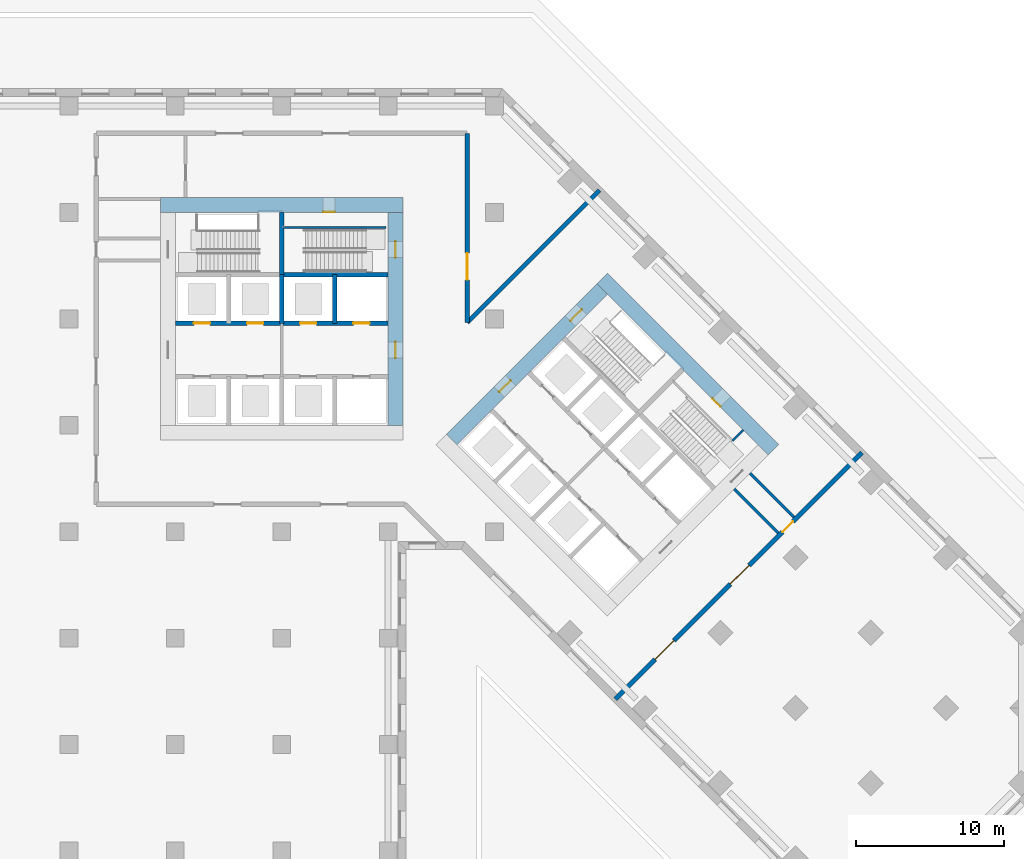
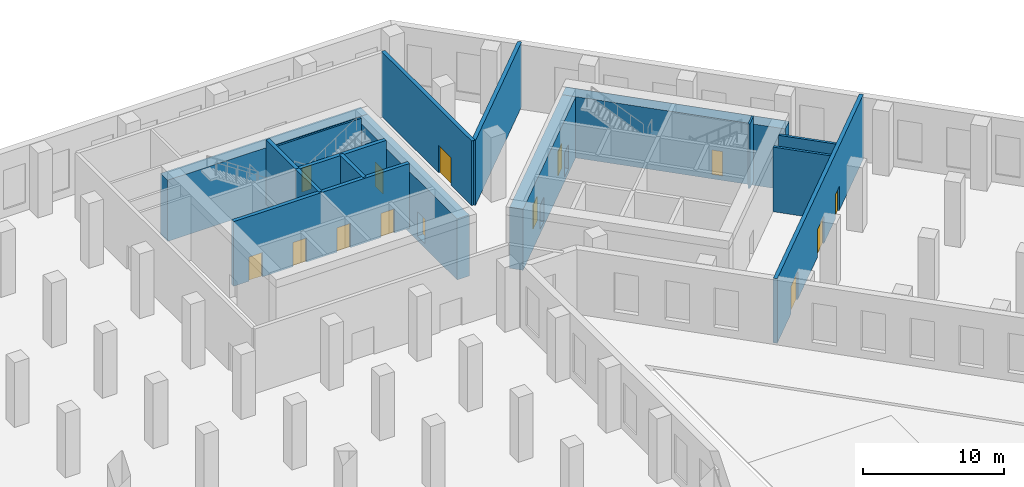
# One storey, part 7 of 15: 16 walls, 14 doors, 14 openings.
"""IFC4 building model written with IfcOpenShell, lengths in metres."""

from ifc_helpers import new_model, si_unit, direction, frame, frame_2d, origin, place, context, subcontext, project, spatial, rectangle, extrude, material, layer, layer_set, type_object, element, fill, save


model = new_model("IFC4")

# Units and contexts
model_context = context("Model", 3, precision=1e-05, world=origin(), true_north=direction((0.0, 1.0)))
body_context = subcontext(model_context, "Body", "Model", "MODEL_VIEW")
ifc_project = project(units=[si_unit("LENGTHUNIT", "METRE"), si_unit("AREAUNIT", "SQUARE_METRE"), si_unit("VOLUMEUNIT", "CUBIC_METRE"), si_unit("PLANEANGLEUNIT", "RADIAN"), si_unit("MASSUNIT", "GRAM", prefix="KILO")], contexts=[model_context])

# Site, building, storey
site_placement = place(None, origin())
site = spatial("IfcSite", under=ifc_project, at=site_placement, CompositionType="ELEMENT")
building_placement = place(site_placement, origin())
building = spatial("IfcBuilding", under=site, at=building_placement, Name="Windrow Commons", CompositionType="ELEMENT")
storey_placement = place(building_placement, origin())
storey = spatial("IfcBuildingStorey", under=building, at=storey_placement, Name="L00", CompositionType="ELEMENT", Elevation=0.0)

# Wall, opening, door
ifc_material_1 = material(Name="Blockwork partition", Category="masonry")
ifc_layer_1 = layer(ifc_material_1, 0.3)
ifc_layer_set_1 = layer_set([ifc_layer_1], Name="Entrance hall wall 300")
wall_type_1 = type_object("IfcWallType", Name="Entrance hall wall 300", PredefinedType="PARTITIONING", material=ifc_layer_set_1)
wall_1_placement = place(storey_placement, frame((77.35, 70.15, 0.0), z_axis=(0.0, 0.0, 1.0), x_axis=(0.0, -1.0, 0.0)))
wall_1 = element("IfcWall", 1, at=wall_1_placement, inside=storey, type_object=wall_type_1, Name="W-L00-ENT-02", PredefinedType="PARTITIONING", context=body_context, shape_type="SweptSolid", body=[
    extrude(rectangle(XDim=12.7986, YDim=0.3, at=frame_2d((6.3993, 0.0))), origin(), (0.0, 0.0, 1.0), 5.6),
])
opening_1_placement = place(wall_1_placement, frame((8.1, 0.0, 0.0)))
opening_1 = element("IfcOpeningElement", 2, at=opening_1_placement, cuts=wall_1, Name="Opening D20", PredefinedType="OPENING", context=body_context, shape_type="SweptSolid", body=[
    extrude(rectangle(XDim=1.8, YDim=2.4, at=frame_2d((0.9, 1.2))), frame((0.0, 0.16, 0.0), z_axis=(0.0, -1.0, 0.0), x_axis=(1.0, 0.0, 0.0)), (0.0, 0.0, 1.0), 0.32),
])
ifc_material_2 = material(Name="Aluminium and glass door leaves", Category="aluminium")
door_type_1 = type_object("IfcDoorType", Name="Entrance door double 1800x2400", OperationType="SINGLE_SWING_LEFT", PredefinedType="DOOR", material=ifc_material_2)
door_1_placement = place(opening_1_placement, origin())
door_1 = element("IfcDoor", 3, at=door_1_placement, inside=storey, type_object=door_type_1, Name="D-L00-EXIT-09", OperationType="DOUBLE_DOOR_SINGLE_SWING", OverallHeight=2.4, OverallWidth=1.8, PredefinedType="DOOR", context=body_context, shape_type="SweptSolid", body=[
    extrude(rectangle(XDim=1.8, YDim=2.4, at=frame_2d((0.9, 1.2))), frame((0.0, 0.025, 0.0), z_axis=(0.0, -1.0, 0.0), x_axis=(1.0, 0.0, 0.0)), (0.0, 0.0, 1.0), 0.05),
])
fill(opening_1, door_1)

# Wall
wall_2_placement = place(storey_placement, frame((77.35, 57.3514, 0.0), z_axis=(0.0, 0.0, 1.0), x_axis=(0.7071067812, 0.7071067812, 0.0)))
element("IfcWall", 4, at=wall_2_placement, inside=storey, type_object=wall_type_1, Name="W-L00-ENT-03", PredefinedType="PARTITIONING", context=body_context, shape_type="SweptSolid", body=[
    extrude(rectangle(XDim=12.6663, YDim=0.3, at=frame_2d((6.3331, 0.0))), origin(), (0.0, 0.0, 1.0), 5.6),
])

# Wall, openings, doors
wall_3_placement = place(storey_placement, frame((104.0548, 48.5594, 0.0), z_axis=(0.0, 0.0, 1.0), x_axis=(-0.7071067812, -0.7071067812, 0.0)))
wall_3 = element("IfcWall", 5, at=wall_3_placement, inside=storey, type_object=wall_type_1, Name="W-L00-ENT-04", PredefinedType="PARTITIONING", context=body_context, shape_type="SweptSolid", body=[
    extrude(rectangle(XDim=23.6, YDim=0.3, at=frame_2d((11.8, 0.0))), origin(), (0.0, 0.0, 1.0), 5.6),
])
opening_2_placement = place(wall_3_placement, frame((10.8, 0.0, 0.0)))
opening_2 = element("IfcOpeningElement", 6, at=opening_2_placement, cuts=wall_3, Name="Opening D20", PredefinedType="OPENING", context=body_context, shape_type="SweptSolid", body=[
    extrude(rectangle(XDim=1.8, YDim=2.4, at=frame_2d((0.9, 1.2))), frame((0.0, 0.16, 0.0), z_axis=(0.0, -1.0, 0.0), x_axis=(1.0, 0.0, 0.0)), (0.0, 0.0, 1.0), 0.32),
])
opening_3_placement = place(wall_3_placement, frame((18.0, 0.0, 0.0)))
opening_3 = element("IfcOpeningElement", 7, at=opening_3_placement, cuts=wall_3, Name="Opening D20", PredefinedType="OPENING", context=body_context, shape_type="SweptSolid", body=[
    extrude(rectangle(XDim=1.8, YDim=2.4, at=frame_2d((0.9, 1.2))), frame((0.0, 0.16, 0.0), z_axis=(0.0, -1.0, 0.0), x_axis=(1.0, 0.0, 0.0)), (0.0, 0.0, 1.0), 0.32),
])
opening_4_placement = place(wall_3_placement, frame((6.6, 0.0, 0.0)))
opening_4 = element("IfcOpeningElement", 8, at=opening_4_placement, cuts=wall_3, Name="Opening D24", PredefinedType="OPENING", context=body_context, shape_type="SweptSolid", body=[
    extrude(rectangle(XDim=1.0, YDim=2.1, at=frame_2d((0.5, 1.05))), frame((0.0, 0.16, 0.0), z_axis=(0.0, -1.0, 0.0), x_axis=(1.0, 0.0, 0.0)), (0.0, 0.0, 1.0), 0.32),
])
door_2_placement = place(opening_2_placement, origin())
door_2 = element("IfcDoor", 9, at=door_2_placement, inside=storey, type_object=door_type_1, Name="D-L00-EXIT-05", OperationType="DOUBLE_DOOR_SINGLE_SWING", OverallHeight=2.4, OverallWidth=1.8, PredefinedType="DOOR", context=body_context, shape_type="SweptSolid", body=[
    extrude(rectangle(XDim=1.8, YDim=2.4, at=frame_2d((0.9, 1.2))), frame((0.0, 0.025, 0.0), z_axis=(0.0, -1.0, 0.0), x_axis=(1.0, 0.0, 0.0)), (0.0, 0.0, 1.0), 0.05),
])
fill(opening_2, door_2)
door_3_placement = place(opening_3_placement, origin())
door_3 = element("IfcDoor", 10, at=door_3_placement, inside=storey, type_object=door_type_1, Name="D-L00-EXIT-06", OperationType="DOUBLE_DOOR_SINGLE_SWING", OverallHeight=2.4, OverallWidth=1.8, PredefinedType="DOOR", context=body_context, shape_type="SweptSolid", body=[
    extrude(rectangle(XDim=1.8, YDim=2.4, at=frame_2d((0.9, 1.2))), frame((0.0, 0.025, 0.0), z_axis=(0.0, -1.0, 0.0), x_axis=(1.0, 0.0, 0.0)), (0.0, 0.0, 1.0), 0.05),
])
fill(opening_3, door_3)
ifc_material_3 = material(Name="Steel fire door leaf", Category="steel")
door_type_2 = type_object("IfcDoorType", Name="Exit door single 1000x2100", OperationType="SINGLE_SWING_LEFT", PredefinedType="DOOR", material=ifc_material_3)
door_4_placement = place(opening_4_placement, origin())
door_4 = element("IfcDoor", 11, at=door_4_placement, inside=storey, type_object=door_type_2, Name="Exit door ST-B2", OperationType="SINGLE_SWING_RIGHT", OverallHeight=2.1, OverallWidth=1.0, PredefinedType="DOOR", context=body_context, shape_type="SweptSolid", body=[
    extrude(rectangle(XDim=1.0, YDim=2.1, at=frame_2d((0.5, 1.05))), frame((0.0, 0.025, 0.0), z_axis=(0.0, -1.0, 0.0), x_axis=(1.0, 0.0, 0.0)), (0.0, 0.0, 1.0), 0.05),
])
fill(opening_4, door_4)

# Walls
ifc_material_4 = material(Name="Blockwork partition", Category="masonry")
ifc_layer_2 = layer(ifc_material_4, 0.2)
ifc_layer_set_2 = layer_set([ifc_layer_2], Name="Fire command centre wall 200")
wall_type_2 = type_object("IfcWallType", Name="Fire command centre wall 200", PredefinedType="PARTITIONING", material=ifc_layer_set_2)
wall_4_placement = place(storey_placement, frame((96.4888, 47.1452, 0.0), z_axis=(0.0, 0.0, 1.0), x_axis=(0.7070948763, -0.7071186858, 0.0)))
element("IfcWall", 12, at=wall_4_placement, inside=storey, type_object=wall_type_2, Name="W-L00-PASS-ST-B2-1", PredefinedType="PARTITIONING", context=body_context, shape_type="SweptSolid", body=[
    extrude(rectangle(XDim=4.2, YDim=0.2, at=frame_2d((2.1, 0.0))), origin(), (0.0, 0.0, 1.0), 5.6),
])
wall_5_placement = place(storey_placement, frame((95.4281, 46.0845, 0.0), z_axis=(0.0, 0.0, 1.0), x_axis=(0.7071067812, -0.7071067812, 0.0)))
element("IfcWall", 13, at=wall_5_placement, inside=storey, type_object=wall_type_2, Name="W-L00-PASS-ST-B2-2", PredefinedType="PARTITIONING", context=body_context, shape_type="SweptSolid", body=[
    extrude(rectangle(XDim=4.1999, YDim=0.2, at=frame_2d((2.1, 0.0))), origin(), (0.0, 0.0, 1.0), 5.6),
])

# Wall, opening, door
ifc_material_5 = material(Name="Concrete C60/75", Category="concrete")
ifc_layer_3 = layer(ifc_material_5, 1.0)
ifc_layer_set_3 = layer_set([ifc_layer_3], Name="RC CORE WALL 1000 C60/75")
wall_type_3 = type_object("IfcWallType", Name="RC CORE WALL 1000 C60/75", PredefinedType="SHEAR", material=ifc_layer_set_3)
wall_6_placement = place(storey_placement, frame((56.6, 65.3, -0.4), z_axis=(0.0, 0.0, 1.0), x_axis=(1.0, 0.0, 0.0)))
wall_6 = element("IfcWall", 14, at=wall_6_placement, inside=storey, type_object=wall_type_3, Name="Core A wall outer-N", PredefinedType="SHEAR", context=body_context, shape_type="SweptSolid", body=[
    extrude(rectangle(XDim=16.4, YDim=1.0, at=frame_2d((8.2, 0.0))), origin(), (0.0, 0.0, 1.0), 5.3),
])
opening_5_placement = place(wall_6_placement, frame((11.0, 0.0, 0.4)))
opening_5 = element("IfcOpeningElement", 15, at=opening_5_placement, cuts=wall_6, Name="Opening D9", PredefinedType="OPENING", context=body_context, shape_type="SweptSolid", body=[
    extrude(rectangle(XDim=0.8, YDim=2.1, at=frame_2d((0.4, 1.05))), frame((0.0, 0.51, 0.0), z_axis=(0.0, -1.0, 0.0), x_axis=(1.0, 0.0, 0.0)), (0.0, 0.0, 1.0), 1.02),
])
ifc_material_6 = material(Name="Steel fire door leaf", Category="steel")
door_type_3 = type_object("IfcDoorType", Name="Riser access door 800", OperationType="SINGLE_SWING_LEFT", PredefinedType="DOOR", material=ifc_material_6)
door_5_placement = place(opening_5_placement, origin())
door_5 = element("IfcDoor", 16, at=door_5_placement, inside=storey, type_object=door_type_3, Name="Riser access door", OperationType="SINGLE_SWING_RIGHT", OverallHeight=2.1, OverallWidth=0.8, PredefinedType="DOOR", context=body_context, shape_type="SweptSolid", body=[
    extrude(rectangle(XDim=0.8, YDim=2.1, at=frame_2d((0.4, 1.05))), frame((0.0, -0.44, 0.0), z_axis=(0.0, -1.0, 0.0), x_axis=(1.0, 0.0, 0.0)), (0.0, 0.0, 1.0), 0.05),
])
fill(opening_5, door_5)

# Wall, openings, doors
wall_7_placement = place(storey_placement, frame((72.5, 50.4, -0.4), z_axis=(0.0, 0.0, 1.0), x_axis=(0.0, 1.0, 0.0)))
wall_7 = element("IfcWall", 17, at=wall_7_placement, inside=storey, type_object=wall_type_3, Name="Core A wall outer-E", PredefinedType="SHEAR", context=body_context, shape_type="SweptSolid", body=[
    extrude(rectangle(XDim=14.4, YDim=1.0, at=frame_2d((7.2, 0.0))), origin(), (0.0, 0.0, 1.0), 5.3),
])
opening_6_placement = place(wall_7_placement, frame((4.55, 0.0, 0.4)))
opening_6 = element("IfcOpeningElement", 18, at=opening_6_placement, cuts=wall_7, Name="Opening D6", PredefinedType="OPENING", context=body_context, shape_type="SweptSolid", body=[
    extrude(rectangle(XDim=1.1, YDim=2.1, at=frame_2d((0.55, 1.05))), frame((0.0, 0.51, 0.0), z_axis=(0.0, -1.0, 0.0), x_axis=(1.0, 0.0, 0.0)), (0.0, 0.0, 1.0), 1.02),
])
opening_7_placement = place(wall_7_placement, frame((11.35, 0.0, 0.4)))
opening_7 = element("IfcOpeningElement", 19, at=opening_7_placement, cuts=wall_7, Name="Opening D7", PredefinedType="OPENING", context=body_context, shape_type="SweptSolid", body=[
    extrude(rectangle(XDim=1.1, YDim=2.1, at=frame_2d((0.55, 1.05))), frame((0.0, 0.51, 0.0), z_axis=(0.0, -1.0, 0.0), x_axis=(1.0, 0.0, 0.0)), (0.0, 0.0, 1.0), 1.02),
])
ifc_material_7 = material(Name="Steel fire door leaf", Category="steel")
door_type_4 = type_object("IfcDoorType", Name="Core lobby door 1100", OperationType="SINGLE_SWING_LEFT", PredefinedType="DOOR", material=ifc_material_7)
door_6_placement = place(opening_6_placement, origin())
door_6 = element("IfcDoor", 20, at=door_6_placement, inside=storey, type_object=door_type_4, Name="Lift lobby door", OperationType="DOUBLE_DOOR_SINGLE_SWING", OverallHeight=2.1, OverallWidth=1.1, PredefinedType="DOOR", context=body_context, shape_type="SweptSolid", body=[
    extrude(rectangle(XDim=1.1, YDim=2.1, at=frame_2d((0.55, 1.05))), frame((0.0, 0.025, 0.0), z_axis=(0.0, -1.0, 0.0), x_axis=(1.0, 0.0, 0.0)), (0.0, 0.0, 1.0), 0.05),
])
fill(opening_6, door_6)
ifc_material_8 = material(Name="Steel fire door leaf", Category="steel")
door_type_5 = type_object("IfcDoorType", Name="Stair door 1100", OperationType="SINGLE_SWING_LEFT", PredefinedType="DOOR", material=ifc_material_8)
door_7_placement = place(opening_7_placement, origin())
door_7 = element("IfcDoor", 21, at=door_7_placement, inside=storey, type_object=door_type_5, Name="Stair door", OperationType="SINGLE_SWING_RIGHT", OverallHeight=2.1, OverallWidth=1.1, PredefinedType="DOOR", context=body_context, shape_type="SweptSolid", body=[
    extrude(rectangle(XDim=1.1, YDim=2.1, at=frame_2d((0.55, 1.05))), frame((0.0, 0.025, 0.0), z_axis=(0.0, -1.0, 0.0), x_axis=(1.0, 0.0, 0.0)), (0.0, 0.0, 1.0), 0.05),
])
fill(opening_7, door_7)

# Wall, opening, door
wall_8_placement = place(storey_placement, frame((86.4832, 60.3327, -0.4), z_axis=(0.0, 0.0, 1.0), x_axis=(0.70710983, -0.7071037324, 0.0)))
wall_8 = element("IfcWall", 22, at=wall_8_placement, inside=storey, type_object=wall_type_3, Name="Core B wall outer-N", PredefinedType="SHEAR", context=body_context, shape_type="SweptSolid", body=[
    extrude(rectangle(XDim=16.4, YDim=1.0, at=frame_2d((8.2, 0.0))), origin(), (0.0, 0.0, 1.0), 5.3),
])
opening_8_placement = place(wall_8_placement, frame((11.0, 0.0, 0.4)))
opening_8 = element("IfcOpeningElement", 23, at=opening_8_placement, cuts=wall_8, Name="Opening D9", PredefinedType="OPENING", context=body_context, shape_type="SweptSolid", body=[
    extrude(rectangle(XDim=0.8, YDim=2.1, at=frame_2d((0.4, 1.05))), frame((0.0, 0.51, 0.0), z_axis=(0.0, -1.0, 0.0), x_axis=(1.0, 0.0, 0.0)), (0.0, 0.0, 1.0), 1.02),
])
door_8_placement = place(opening_8_placement, origin())
door_8 = element("IfcDoor", 24, at=door_8_placement, inside=storey, type_object=door_type_3, Name="Riser access door", OperationType="SINGLE_SWING_RIGHT", OverallHeight=2.1, OverallWidth=0.8, PredefinedType="DOOR", context=body_context, shape_type="SweptSolid", body=[
    extrude(rectangle(XDim=0.8, YDim=2.1, at=frame_2d((0.4, 1.05))), frame((0.0, -0.44, 0.0), z_axis=(0.0, -1.0, 0.0), x_axis=(1.0, 0.0, 0.0)), (0.0, 0.0, 1.0), 0.05),
])
fill(opening_8, door_8)

# Wall, openings, doors
wall_9_placement = place(storey_placement, frame((76.3009, 49.4433, -0.4), z_axis=(0.0, 0.0, 1.0), x_axis=(0.7071067812, 0.7071067812, 0.0)))
wall_9 = element("IfcWall", 25, at=wall_9_placement, inside=storey, type_object=wall_type_3, Name="Core B wall outer-W", PredefinedType="SHEAR", context=body_context, shape_type="SweptSolid", body=[
    extrude(rectangle(XDim=14.3999, YDim=1.0, at=frame_2d((7.2, 0.0))), origin(), (0.0, 0.0, 1.0), 5.3),
])
opening_9_placement = place(wall_9_placement, frame((4.55, 0.0, 0.4)))
opening_9 = element("IfcOpeningElement", 26, at=opening_9_placement, cuts=wall_9, Name="Opening D6", PredefinedType="OPENING", context=body_context, shape_type="SweptSolid", body=[
    extrude(rectangle(XDim=1.1, YDim=2.1, at=frame_2d((0.55, 1.05))), frame((0.0, 0.51, 0.0), z_axis=(0.0, -1.0, 0.0), x_axis=(1.0, 0.0, 0.0)), (0.0, 0.0, 1.0), 1.02),
])
opening_10_placement = place(wall_9_placement, frame((11.35, 0.0, 0.4)))
opening_10 = element("IfcOpeningElement", 27, at=opening_10_placement, cuts=wall_9, Name="Opening D7", PredefinedType="OPENING", context=body_context, shape_type="SweptSolid", body=[
    extrude(rectangle(XDim=1.1, YDim=2.1, at=frame_2d((0.55, 1.05))), frame((0.0, 0.51, 0.0), z_axis=(0.0, -1.0, 0.0), x_axis=(1.0, 0.0, 0.0)), (0.0, 0.0, 1.0), 1.02),
])
door_9_placement = place(opening_9_placement, origin())
door_9 = element("IfcDoor", 28, at=door_9_placement, inside=storey, type_object=door_type_4, Name="Lift lobby door", OperationType="DOUBLE_DOOR_SINGLE_SWING", OverallHeight=2.1, OverallWidth=1.1, PredefinedType="DOOR", context=body_context, shape_type="SweptSolid", body=[
    extrude(rectangle(XDim=1.1, YDim=2.1, at=frame_2d((0.55, 1.05))), frame((0.0, 0.025, 0.0), z_axis=(0.0, -1.0, 0.0), x_axis=(1.0, 0.0, 0.0)), (0.0, 0.0, 1.0), 0.05),
])
fill(opening_9, door_9)
door_10_placement = place(opening_10_placement, origin())
door_10 = element("IfcDoor", 29, at=door_10_placement, inside=storey, type_object=door_type_5, Name="Stair door", OperationType="SINGLE_SWING_LEFT", OverallHeight=2.1, OverallWidth=1.1, PredefinedType="DOOR", context=body_context, shape_type="SweptSolid", body=[
    extrude(rectangle(XDim=1.1, YDim=2.1, at=frame_2d((0.55, 1.05))), frame((0.0, 0.025, 0.0), z_axis=(0.0, -1.0, 0.0), x_axis=(1.0, 0.0, 0.0)), (0.0, 0.0, 1.0), 0.05),
])
fill(opening_10, door_10)

# Walls
ifc_material_9 = material(Name="Concrete C60/75", Category="concrete")
ifc_layer_4 = layer(ifc_material_9, 0.3)
ifc_layer_set_4 = layer_set([ifc_layer_4], Name="RC SHAFT WALL 300 C60/75")
wall_type_4 = type_object("IfcWallType", Name="RC SHAFT WALL 300 C60/75", PredefinedType="SOLIDWALL", material=ifc_layer_set_4)
for number, where, z_axis, x_axis, name in (
    (30, (64.8, 57.3, 0.0), (0.0, 0.0, 1.0), (0.0, 1.0, 0.0), "Core A wall shaft-N2"),
    (31, (68.4, 57.3, 0.0), (0.0, 0.0, 1.0), (0.0, 1.0, 0.0), "Core A wall shaft-N3"),
):
    element("IfcWall", number, at=place(storey_placement, frame(where, z_axis=z_axis, x_axis=x_axis)), inside=storey, type_object=wall_type_4, Name=name, PredefinedType="SOLIDWALL", context=body_context, shape_type="SweptSolid", body=[
        extrude(rectangle(XDim=3.3, YDim=0.3, at=frame_2d((1.65, 0.0))), origin(), (0.0, 0.0, 1.0), 5.6),
    ])

# Wall, openings, doors
wall_10_placement = place(storey_placement, frame((57.6, 57.3, 0.0), z_axis=(0.0, 0.0, 1.0), x_axis=(1.0, 0.0, 0.0)))
wall_10 = element("IfcWall", 32, at=wall_10_placement, inside=storey, type_object=wall_type_4, Name="Core A wall lobby-N", PredefinedType="SOLIDWALL", context=body_context, shape_type="SweptSolid", body=[
    extrude(rectangle(XDim=14.4, YDim=0.3, at=frame_2d((7.2, 0.0))), origin(), (0.0, 0.0, 1.0), 5.6),
])
opening_11_placement = place(wall_10_placement, frame((1.25, 0.0, 0.0)))
opening_11 = element("IfcOpeningElement", 33, at=opening_11_placement, cuts=wall_10, Name="Opening LD", PredefinedType="OPENING", context=body_context, shape_type="SweptSolid", body=[
    extrude(rectangle(XDim=1.1, YDim=2.1, at=frame_2d((0.55, 1.05))), frame((0.0, 0.16, 0.0), z_axis=(0.0, -1.0, 0.0), x_axis=(1.0, 0.0, 0.0)), (0.0, 0.0, 1.0), 0.32),
])
opening_12_placement = place(wall_10_placement, frame((4.85, 0.0, 0.0)))
opening_12 = element("IfcOpeningElement", 34, at=opening_12_placement, cuts=wall_10, Name="Opening LD", PredefinedType="OPENING", context=body_context, shape_type="SweptSolid", body=[
    extrude(rectangle(XDim=1.1, YDim=2.1, at=frame_2d((0.55, 1.05))), frame((0.0, 0.16, 0.0), z_axis=(0.0, -1.0, 0.0), x_axis=(1.0, 0.0, 0.0)), (0.0, 0.0, 1.0), 0.32),
])
opening_13_placement = place(wall_10_placement, frame((8.45, 0.0, 0.0)))
opening_13 = element("IfcOpeningElement", 35, at=opening_13_placement, cuts=wall_10, Name="Opening LD", PredefinedType="OPENING", context=body_context, shape_type="SweptSolid", body=[
    extrude(rectangle(XDim=1.1, YDim=2.1, at=frame_2d((0.55, 1.05))), frame((0.0, 0.16, 0.0), z_axis=(0.0, -1.0, 0.0), x_axis=(1.0, 0.0, 0.0)), (0.0, 0.0, 1.0), 0.32),
])
opening_14_placement = place(wall_10_placement, frame((12.05, 0.0, 0.0)))
opening_14 = element("IfcOpeningElement", 36, at=opening_14_placement, cuts=wall_10, Name="Opening LD", PredefinedType="OPENING", context=body_context, shape_type="SweptSolid", body=[
    extrude(rectangle(XDim=1.1, YDim=2.1, at=frame_2d((0.55, 1.05))), frame((0.0, 0.16, 0.0), z_axis=(0.0, -1.0, 0.0), x_axis=(1.0, 0.0, 0.0)), (0.0, 0.0, 1.0), 0.32),
])
ifc_material_10 = material(Name="Stainless steel door leaf", Category="steel")
door_type_6 = type_object("IfcDoorType", Name="Lift landing door 1100", OperationType="SLIDING_TO_LEFT", PredefinedType="DOOR", material=ifc_material_10)
door_11_placement = place(opening_11_placement, origin())
door_11 = element("IfcDoor", 37, at=door_11_placement, inside=storey, type_object=door_type_6, Name="Lift landing door", OperationType="SLIDING_TO_LEFT", OverallHeight=2.1, OverallWidth=1.1, PredefinedType="DOOR", context=body_context, shape_type="SweptSolid", body=[
    extrude(rectangle(XDim=1.1, YDim=2.1, at=frame_2d((0.55, 1.05))), frame((0.0, 0.025, 0.0), z_axis=(0.0, -1.0, 0.0), x_axis=(1.0, 0.0, 0.0)), (0.0, 0.0, 1.0), 0.05),
])
fill(opening_11, door_11)
door_12_placement = place(opening_12_placement, origin())
door_12 = element("IfcDoor", 38, at=door_12_placement, inside=storey, type_object=door_type_6, Name="Lift landing door", OperationType="SLIDING_TO_RIGHT", OverallHeight=2.1, OverallWidth=1.1, PredefinedType="DOOR", context=body_context, shape_type="SweptSolid", body=[
    extrude(rectangle(XDim=1.1, YDim=2.1, at=frame_2d((0.55, 1.05))), frame((0.0, 0.025, 0.0), z_axis=(0.0, -1.0, 0.0), x_axis=(1.0, 0.0, 0.0)), (0.0, 0.0, 1.0), 0.05),
])
fill(opening_12, door_12)
door_13_placement = place(opening_13_placement, origin())
door_13 = element("IfcDoor", 39, at=door_13_placement, inside=storey, type_object=door_type_6, Name="Lift landing door", OperationType="SLIDING_TO_LEFT", OverallHeight=2.1, OverallWidth=1.1, PredefinedType="DOOR", context=body_context, shape_type="SweptSolid", body=[
    extrude(rectangle(XDim=1.1, YDim=2.1, at=frame_2d((0.55, 1.05))), frame((0.0, 0.025, 0.0), z_axis=(0.0, -1.0, 0.0), x_axis=(1.0, 0.0, 0.0)), (0.0, 0.0, 1.0), 0.05),
])
fill(opening_13, door_13)
door_14_placement = place(opening_14_placement, origin())
door_14 = element("IfcDoor", 40, at=door_14_placement, inside=storey, type_object=door_type_6, Name="Lift landing door", OperationType="SLIDING_TO_RIGHT", OverallHeight=2.1, OverallWidth=1.1, PredefinedType="DOOR", context=body_context, shape_type="SweptSolid", body=[
    extrude(rectangle(XDim=1.1, YDim=2.1, at=frame_2d((0.55, 1.05))), frame((0.0, 0.025, 0.0), z_axis=(0.0, -1.0, 0.0), x_axis=(1.0, 0.0, 0.0)), (0.0, 0.0, 1.0), 0.05),
])
fill(opening_14, door_14)

# Walls
wall_11_placement = place(storey_placement, frame((64.8, 60.6, 0.0), z_axis=(0.0, 0.0, 1.0), x_axis=(1.0, 0.0, 0.0)))
element("IfcWall", 41, at=wall_11_placement, inside=storey, type_object=wall_type_4, Name="Core A wall stair-S2", PredefinedType="SOLIDWALL", context=body_context, shape_type="SweptSolid", body=[
    extrude(rectangle(XDim=7.2, YDim=0.3, at=frame_2d((3.6, 0.0))), origin(), (0.0, 0.0, 1.0), 5.6),
])
wall_12_placement = place(storey_placement, frame((64.8, 60.6, 0.0), z_axis=(0.0, 0.0, 1.0), x_axis=(0.0, 1.0, 0.0)))
element("IfcWall", 42, at=wall_12_placement, inside=storey, type_object=wall_type_4, Name="Core A wall stair-mid", PredefinedType="SOLIDWALL", context=body_context, shape_type="SweptSolid", body=[
    extrude(rectangle(XDim=4.2, YDim=0.3, at=frame_2d((2.1, 0.0))), origin(), (0.0, 0.0, 1.0), 5.6),
])
ifc_material_11 = material(Name="Blockwork partition", Category="masonry")
ifc_layer_5 = layer(ifc_material_11, 0.15)
ifc_layer_set_5 = layer_set([ifc_layer_5], Name="Riser partition 150")
wall_type_5 = type_object("IfcWallType", Name="Riser partition 150", PredefinedType="PARTITIONING", material=ifc_layer_set_5)
wall_13_placement = place(storey_placement, frame((64.95, 63.78, 0.0), z_axis=(0.0, 0.0, 1.0), x_axis=(1.0, 0.0, 0.0)))
element("IfcWall", 43, at=wall_13_placement, inside=storey, type_object=wall_type_5, Name="W-core-strip-A-L00", PredefinedType="PARTITIONING", context=body_context, shape_type="SweptSolid", body=[
    extrude(rectangle(XDim=6.9, YDim=0.15, at=frame_2d((3.45, 0.0))), origin(), (0.0, 0.0, 1.0), 5.6),
])
wall_14_placement = place(storey_placement, frame((95.3079, 49.3584, 0.0), z_axis=(0.0, 0.0, 1.0), x_axis=(0.70705776, 0.707155799, 0.0)))
element("IfcWall", 44, at=wall_14_placement, inside=storey, type_object=wall_type_5, Name="W-core-stripx-B-L00-1", PredefinedType="PARTITIONING", context=body_context, shape_type="SweptSolid", body=[
    extrude(rectangle(XDim=1.02, YDim=0.15, at=frame_2d((0.51, 0.0))), origin(), (0.0, 0.0, 1.0), 5.6),
])

save(model, "model.ifc")
